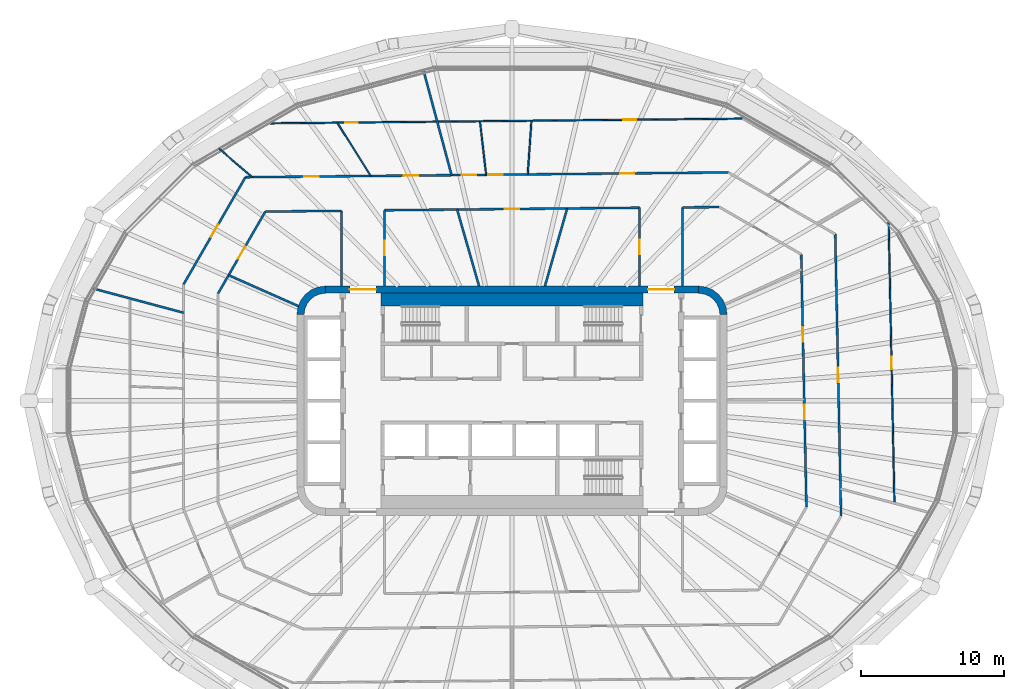
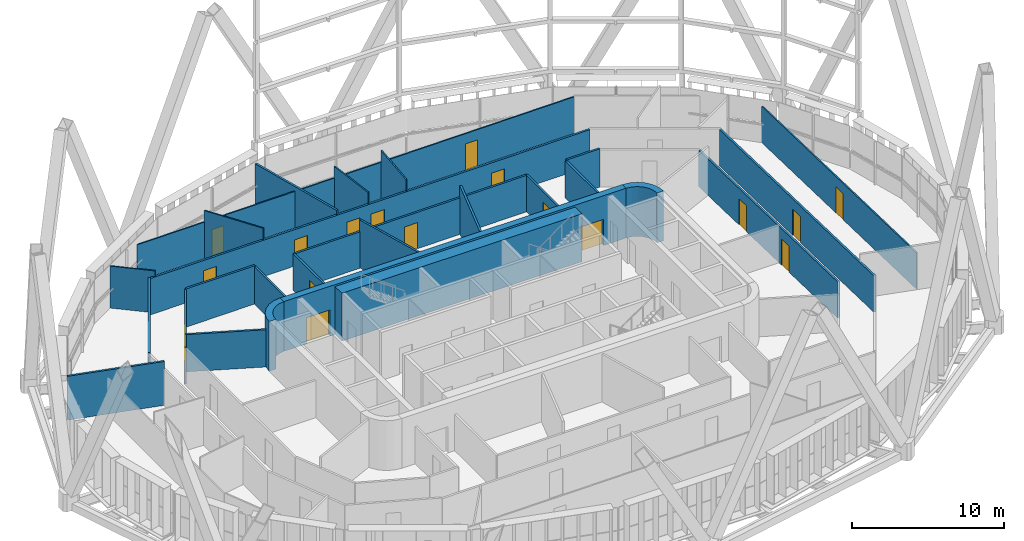
# One storey, part 15 of 25: 27 walls, 18 doors, 18 openings.
"""IFC4 building model written with IfcOpenShell, lengths in metres."""

from ifc_helpers import new_model, si_unit, direction, frame, frame_2d, origin, place, context, subcontext, project, spatial, polyline, rectangle, outline, extrude, material, layer, layer_set, type_object, element, fill, save


model = new_model("IFC4")

# Units and contexts
model_context = context("Model", 3, precision=1e-05, world=origin(), true_north=direction((0.0, 1.0)))
body_context = subcontext(model_context, "Body", "Model", "MODEL_VIEW")
ifc_project = project(units=[si_unit("LENGTHUNIT", "METRE"), si_unit("AREAUNIT", "SQUARE_METRE"), si_unit("VOLUMEUNIT", "CUBIC_METRE"), si_unit("PLANEANGLEUNIT", "RADIAN"), si_unit("MASSUNIT", "GRAM", prefix="KILO")], contexts=[model_context])

# Site, building, storey
site_placement = place(None, origin())
site = spatial("IfcSite", under=ifc_project, at=site_placement, CompositionType="ELEMENT")
building_placement = place(site_placement, origin())
building = spatial("IfcBuilding", under=site, at=building_placement, Name="Sahrelin Media Tower", CompositionType="ELEMENT")
storey_placement = place(building_placement, frame((0.0, 0.0, 181.60009765625)))
storey = spatial("IfcBuildingStorey", under=building, at=storey_placement, Name="L38", CompositionType="ELEMENT", Elevation=181.60009765625)

# Wall, openings, doors
ifc_material_1 = material(Name="Concrete C60/75", Category="concrete")
ifc_layer_1 = layer(ifc_material_1, 0.5)
ifc_layer_set_1 = layer_set([ifc_layer_1], Name="Core wall 500")
wall_type_1 = type_object("IfcWallType", Name="Core wall 500", PredefinedType="SHEAR", material=ifc_layer_set_1)
wall_1_placement = place(storey_placement, frame((-13.0, 7.75, 0.0), z_axis=(0.0, 0.0, 1.0), x_axis=(1.0, 0.0, 0.0)))
wall_1 = element("IfcWall", 1, at=wall_1_placement, inside=storey, type_object=wall_type_1, Name="Core wall N L38", PredefinedType="SHEAR", context=body_context, shape_type="SweptSolid", body=[
    extrude(rectangle(XDim=26.0, YDim=0.5, at=frame_2d((13.0, 0.0))), origin(), (0.0, 0.0, 1.0), 4.0),
])
opening_1_placement = place(wall_1_placement, frame((1.699951171875, 0.0, 0.0)))
opening_1 = element("IfcOpeningElement", 2, at=opening_1_placement, cuts=wall_1, Name="Opening L38-D16", PredefinedType="OPENING", context=body_context, shape_type="SweptSolid", body=[
    extrude(rectangle(XDim=1.800048828125, YDim=2.10009765625, at=frame_2d((0.89990234375, 1.050048828125))), frame((0.0, 0.25, 0.0), z_axis=(0.0, -1.0, 0.0), x_axis=(1.0, 0.0, 0.0)), (0.0, 0.0, 1.0), 0.5),
])
opening_2_placement = place(wall_1_placement, frame((22.5, 0.0, 0.0)))
opening_2 = element("IfcOpeningElement", 3, at=opening_2_placement, cuts=wall_1, Name="Opening L38-D17", PredefinedType="OPENING", context=body_context, shape_type="SweptSolid", body=[
    extrude(rectangle(XDim=1.800048828125, YDim=2.10009765625, at=frame_2d((0.89990234375, 1.050048828125))), frame((0.0, 0.25, 0.0), z_axis=(0.0, -1.0, 0.0), x_axis=(1.0, 0.0, 0.0)), (0.0, 0.0, 1.0), 0.5),
])
ifc_material_2 = material(Name="Steel fire door leaf", Category="steel")
door_type_1 = type_object("IfcDoorType", Name="Lobby double door 1800 x 2100 EI 60", OperationType="DOUBLE_DOOR_SINGLE_SWING", PredefinedType="DOOR", material=ifc_material_2)
door_1_placement = place(opening_1_placement, origin())
door_1 = element("IfcDoor", 4, at=door_1_placement, inside=storey, type_object=door_type_1, Name="Lobby door", OperationType="DOUBLE_DOOR_SINGLE_SWING", OverallHeight=2.10009765625, OverallWidth=1.800048828125, PredefinedType="DOOR", context=body_context, shape_type="SweptSolid", body=[
    extrude(rectangle(XDim=1.800048828125, YDim=2.10009765625, at=frame_2d((0.89990234375, 1.050048828125))), frame((0.0, 0.02490234375, 0.0), z_axis=(0.0, -1.0, 0.0), x_axis=(1.0, 0.0, 0.0)), (0.0, 0.0, 1.0), 0.050048828125),
])
fill(opening_1, door_1)
door_2_placement = place(opening_2_placement, origin())
door_2 = element("IfcDoor", 5, at=door_2_placement, inside=storey, type_object=door_type_1, Name="Lobby door", OperationType="DOUBLE_DOOR_SINGLE_SWING", OverallHeight=2.10009765625, OverallWidth=1.800048828125, PredefinedType="DOOR", context=body_context, shape_type="SweptSolid", body=[
    extrude(rectangle(XDim=1.800048828125, YDim=2.10009765625, at=frame_2d((0.89990234375, 1.050048828125))), frame((0.0, 0.02490234375, 0.0), z_axis=(0.0, -1.0, 0.0), x_axis=(1.0, 0.0, 0.0)), (0.0, 0.0, 1.0), 0.050048828125),
])
fill(opening_2, door_2)

# Walls
placement = place(storey_placement, origin())
element("IfcWall", 6, at=placement, inside=storey, type_object=wall_type_1, Name="Core wall corner NE L38", PredefinedType="SHEAR", context=body_context, shape_type="SweptSolid", body=[
    extrude(outline(polyline([(13.0, 8.0), (13.0, 7.49560546875), (13.38720703125, 7.44482421875), (13.747802734375, 7.29541015625), (14.0576171875, 7.0576171875), (14.29541015625, 6.747802734375), (14.44482421875, 6.38720703125), (14.49560546875, 6.0), (15.0, 6.0), (14.931884765625, 6.517578125), (14.732177734375, 7.0), (14.414306640625, 7.414306640625), (14.0, 7.732177734375), (13.517578125, 7.931884765625), (13.0, 8.0)])), origin(), (0.0, 0.0, 1.0), 4.0),
])
element("IfcWall", 7, at=placement, inside=storey, type_object=wall_type_1, Name="Core wall corner NW L38", PredefinedType="SHEAR", context=body_context, shape_type="SweptSolid", body=[
    extrude(outline(polyline([(-15.0, 6.0), (-14.49560546875, 6.0), (-14.44482421875, 6.38720703125), (-14.29541015625, 6.747802734375), (-14.0576171875, 7.0576171875), (-13.747802734375, 7.29541015625), (-13.38720703125, 7.44482421875), (-13.0, 7.49560546875), (-13.0, 8.0), (-13.517578125, 7.931884765625), (-14.0, 7.732177734375), (-14.414306640625, 7.414306640625), (-14.732177734375, 7.0), (-14.931884765625, 6.517578125), (-15.0, 6.0)])), origin(), (0.0, 0.0, 1.0), 4.0),
])

# Wall, openings, doors
ifc_material_3 = material(Name="Fire-rated gypsum board partition")
ifc_layer_2 = layer(ifc_material_3, 0.14990234375)
ifc_layer_set_2 = layer_set([ifc_layer_2], Name="Fire-rated partition 150")
wall_type_2 = type_object("IfcWallType", Name="Fire-rated partition 150", PredefinedType="PARTITIONING", material=ifc_layer_set_2)
wall_4_placement = place(storey_placement, frame((20.1669921875, 10.212890625, 0.0), z_axis=(0.0, 0.0, 1.0), x_axis=(0.020610894613, -0.999787572949, 0.0)))
wall_4 = element("IfcWall", 8, at=wall_4_placement, inside=storey, type_object=wall_type_2, Name="Wall", PredefinedType="PARTITIONING", context=body_context, shape_type="SweptSolid", body=[
    extrude(rectangle(XDim=17.637451171875, YDim=0.14990234375, at=frame_2d((8.81884765625, 0.0))), origin(), (0.0, 0.0, 1.0), 2.927001953125),
])
opening_3_placement = place(wall_4_placement, frame((10.5078125, 0.0, 0.0)))
opening_3 = element("IfcOpeningElement", 9, at=opening_3_placement, cuts=wall_4, Name="Opening L38-D24", PredefinedType="OPENING", context=body_context, shape_type="SweptSolid", body=[
    extrude(rectangle(XDim=1.0, YDim=2.10009765625, at=frame_2d((0.5, 1.050048828125))), frame((0.0, 0.074951171875, 0.0), z_axis=(0.0, -1.0, 0.0), x_axis=(1.0, 0.0, 0.0)), (0.0, 0.0, 1.0), 0.14990234375),
])
opening_4_placement = place(wall_4_placement, frame((5.089599609375, 0.0, 0.0)))
opening_4 = element("IfcOpeningElement", 10, at=opening_4_placement, cuts=wall_4, Name="Opening L38-D25", PredefinedType="OPENING", context=body_context, shape_type="SweptSolid", body=[
    extrude(rectangle(XDim=1.0, YDim=2.10009765625, at=frame_2d((0.5, 1.050048828125))), frame((0.0, 0.074951171875, 0.0), z_axis=(0.0, -1.0, 0.0), x_axis=(1.0, 0.0, 0.0)), (0.0, 0.0, 1.0), 0.14990234375),
])
door_type_2 = type_object("IfcDoorType", Name="Fire door 1000 x 2100 EI 60", OperationType="NOTDEFINED", PredefinedType="DOOR", material=ifc_material_2)
door_3_placement = place(opening_3_placement, origin())
door_3 = element("IfcDoor", 11, at=door_3_placement, inside=storey, type_object=door_type_2, Name="Fire door", OperationType="SINGLE_SWING_LEFT", OverallHeight=2.10009765625, OverallWidth=1.0, PredefinedType="DOOR", context=body_context, shape_type="SweptSolid", body=[
    extrude(rectangle(XDim=1.0, YDim=2.10009765625, at=frame_2d((0.5, 1.050048828125))), frame((0.0, 0.02490234375, 0.0), z_axis=(0.0, -1.0, 0.0), x_axis=(1.0, 0.0, 0.0)), (0.0, 0.0, 1.0), 0.050048828125),
])
fill(opening_3, door_3)
door_4_placement = place(opening_4_placement, origin())
door_4 = element("IfcDoor", 12, at=door_4_placement, inside=storey, type_object=door_type_2, Name="Fire door", OperationType="SINGLE_SWING_RIGHT", OverallHeight=2.10009765625, OverallWidth=1.0, PredefinedType="DOOR", context=body_context, shape_type="SweptSolid", body=[
    extrude(rectangle(XDim=1.0, YDim=2.10009765625, at=frame_2d((0.5, 1.050048828125))), frame((0.0, 0.02490234375, 0.0), z_axis=(0.0, -1.0, 0.0), x_axis=(1.0, 0.0, 0.0)), (0.0, 0.0, 1.0), 0.050048828125),
])
fill(opening_4, door_4)

# Wall, opening, door
wall_5_placement = place(storey_placement, frame((22.5390625, 11.614990234375, 0.0), z_axis=(0.0, 0.0, 1.0), x_axis=(0.020613919434, -0.999787510587, 0.0)))
wall_5 = element("IfcWall", 13, at=wall_5_placement, inside=storey, type_object=wall_type_2, Name="Wall", PredefinedType="PARTITIONING", context=body_context, shape_type="SweptSolid", body=[
    extrude(rectangle(XDim=19.66015625, YDim=0.14990234375, at=frame_2d((9.830078125, 0.0))), origin(), (0.0, 0.0, 1.0), 2.927001953125),
])
opening_5_placement = place(wall_5_placement, frame((9.330078125, 0.0, 0.0)))
opening_5 = element("IfcOpeningElement", 14, at=opening_5_placement, cuts=wall_5, Name="Opening L38-D37", PredefinedType="OPENING", context=body_context, shape_type="SweptSolid", body=[
    extrude(rectangle(XDim=1.0, YDim=2.10009765625, at=frame_2d((0.5, 1.050048828125))), frame((0.0, 0.074951171875, 0.0), z_axis=(0.0, -1.0, 0.0), x_axis=(1.0, 0.0, 0.0)), (0.0, 0.0, 1.0), 0.14990234375),
])
door_5_placement = place(opening_5_placement, origin())
door_5 = element("IfcDoor", 15, at=door_5_placement, inside=storey, type_object=door_type_2, Name="Fire door", OperationType="SINGLE_SWING_LEFT", OverallHeight=2.10009765625, OverallWidth=1.0, PredefinedType="DOOR", context=body_context, shape_type="SweptSolid", body=[
    extrude(rectangle(XDim=1.0, YDim=2.10009765625, at=frame_2d((0.5, 1.050048828125))), frame((0.0, 0.02490234375, 0.0), z_axis=(0.0, -1.0, 0.0), x_axis=(1.0, 0.0, 0.0)), (0.0, 0.0, 1.0), 0.050048828125),
])
fill(opening_5, door_5)

# Walls
wall_6_placement = place(storey_placement, frame((-6.177978515625, 23.05810546875, 0.0), z_axis=(0.0, 0.0, 1.0), x_axis=(0.258856186269, -0.965915873578, 0.0)))
element("IfcWall", 16, at=wall_6_placement, inside=storey, type_object=wall_type_2, Name="Wall", PredefinedType="PARTITIONING", context=body_context, shape_type="SweptSolid", body=[
    extrude(rectangle(XDim=7.586669921875, YDim=0.14990234375, at=frame_2d((3.79345703125, 0.0))), origin(), (0.0, 0.0, 1.0), 3.301513671875),
])
wall_7_placement = place(storey_placement, frame((-3.826904296875, 13.3330078125, 0.0), z_axis=(0.0, 0.0, 1.0), x_axis=(0.275935525478, -0.961176147113, 0.0)))
element("IfcWall", 17, at=wall_7_placement, inside=storey, type_object=wall_type_2, Name="Wall", PredefinedType="PARTITIONING", context=body_context, shape_type="SweptSolid", body=[
    extrude(rectangle(XDim=5.54833984375, YDim=0.14990234375, at=frame_2d((2.774169921875, 0.0))), origin(), (0.0, 0.0, 1.0), 3.849853515625),
])
wall_8_placement = place(storey_placement, frame((-19.760009765625, 8.7548828125, 0.0), z_axis=(0.0, 0.0, 1.0), x_axis=(0.91424834547, -0.405154245695, 0.0)))
element("IfcWall", 18, at=wall_8_placement, inside=storey, type_object=wall_type_2, Name="Wall", PredefinedType="PARTITIONING", context=body_context, shape_type="SweptSolid", body=[
    extrude(rectangle(XDim=5.31787109375, YDim=0.14990234375, at=frame_2d((2.658935546875, 0.0))), origin(), (0.0, 0.0, 1.0), 2.994873046875),
])
wall_9_placement = place(storey_placement, frame((-29.27197265625, 7.843017578125, 0.0), z_axis=(0.0, 0.0, 1.0), x_axis=(0.965939462112, -0.258768150157, 0.0)))
element("IfcWall", 19, at=wall_9_placement, inside=storey, type_object=wall_type_2, Name="Wall", PredefinedType="PARTITIONING", context=body_context, shape_type="SweptSolid", body=[
    extrude(rectangle(XDim=6.5966796875, YDim=0.14990234375, at=frame_2d((3.29833984375, 0.0))), origin(), (0.0, 0.0, 1.0), 3.526611328125),
])
wall_10_placement = place(storey_placement, frame((-17.194091796875, 13.19091796875, 0.0), z_axis=(0.0, 0.0, 1.0), x_axis=(0.999950394899, 0.009960308291, 0.0)))
element("IfcWall", 20, at=wall_10_placement, inside=storey, type_object=wall_type_2, Name="Wall", PredefinedType="PARTITIONING", context=body_context, shape_type="SweptSolid", body=[
    extrude(rectangle(XDim=5.29443359375, YDim=0.14990234375, at=frame_2d((2.647216796875, 0.0))), origin(), (0.0, 0.0, 1.0), 3.075927734375),
])

# Wall, opening, door
wall_11_placement = place(storey_placement, frame((-8.89990234375, 13.282470703125, 0.0), z_axis=(0.0, 0.0, 1.0), x_axis=(0.99995056171, 0.009943547447, 0.0)))
wall_11 = element("IfcWall", 21, at=wall_11_placement, inside=storey, type_object=wall_type_2, Name="Wall", PredefinedType="PARTITIONING", context=body_context, shape_type="SweptSolid", body=[
    extrude(rectangle(XDim=17.80078125, YDim=0.14990234375, at=frame_2d((8.900390625, 0.0))), origin(), (0.0, 0.0, 1.0), 2.927001953125),
])
opening_6_placement = place(wall_11_placement, frame((8.41162109375, 0.0, 0.0)))
opening_6 = element("IfcOpeningElement", 22, at=opening_6_placement, cuts=wall_11, Name="Opening L38-D28", PredefinedType="OPENING", context=body_context, shape_type="SweptSolid", body=[
    extrude(rectangle(XDim=1.0, YDim=2.10009765625, at=frame_2d((0.5, 1.050048828125))), frame((0.0, 0.074951171875, 0.0), z_axis=(0.0, -1.0, 0.0), x_axis=(1.0, 0.0, 0.0)), (0.0, 0.0, 1.0), 0.14990234375),
])
door_6_placement = place(opening_6_placement, origin())
door_6 = element("IfcDoor", 23, at=door_6_placement, inside=storey, type_object=door_type_2, Name="Fire door", OperationType="SINGLE_SWING_LEFT", OverallHeight=2.10009765625, OverallWidth=1.0, PredefinedType="DOOR", context=body_context, shape_type="SweptSolid", body=[
    extrude(rectangle(XDim=1.0, YDim=2.10009765625, at=frame_2d((0.5, 1.050048828125))), frame((0.0, 0.02490234375, 0.0), z_axis=(0.0, -1.0, 0.0), x_axis=(1.0, 0.0, 0.0)), (0.0, 0.0, 1.0), 0.050048828125),
])
fill(opening_6, door_6)

# Wall
wall_12_placement = place(storey_placement, frame((11.89990234375, 13.47998046875, 0.0), z_axis=(0.0, 0.0, 1.0), x_axis=(0.999950357576, 0.009964054536, 0.0)))
element("IfcWall", 24, at=wall_12_placement, inside=storey, type_object=wall_type_2, Name="Wall", PredefinedType="PARTITIONING", context=body_context, shape_type="SweptSolid", body=[
    extrude(rectangle(XDim=2.54833984375, YDim=0.14990234375, at=frame_2d((1.274169921875, 0.0))), origin(), (0.0, 0.0, 1.0), 3.075927734375),
])

# Wall, openings, doors
wall_13_placement = place(storey_placement, frame((-18.5869140625, 15.5869140625, 0.0), z_axis=(0.0, 0.0, 1.0), x_axis=(0.99995051, 0.009948746191, 0.0)))
wall_13 = element("IfcWall", 25, at=wall_13_placement, inside=storey, type_object=wall_type_2, Name="Wall", PredefinedType="PARTITIONING", context=body_context, shape_type="SweptSolid", body=[
    extrude(rectangle(XDim=33.668701171875, YDim=0.14990234375, at=frame_2d((16.83447265625, 0.0))), origin(), (0.0, 0.0, 1.0), 2.927001953125),
])
opening_7_placement = place(wall_13_placement, frame((26.124755859375, 0.0, 0.0)))
opening_7 = element("IfcOpeningElement", 26, at=opening_7_placement, cuts=wall_13, Name="Opening L38-D40", PredefinedType="OPENING", context=body_context, shape_type="SweptSolid", body=[
    extrude(rectangle(XDim=1.0, YDim=2.10009765625, at=frame_2d((0.5, 1.050048828125))), frame((0.0, 0.074951171875, 0.0), z_axis=(0.0, -1.0, 0.0), x_axis=(1.0, 0.0, 0.0)), (0.0, 0.0, 1.0), 0.14990234375),
])
opening_8_placement = place(wall_13_placement, frame((16.935791015625, 0.0, 0.0)))
opening_8 = element("IfcOpeningElement", 27, at=opening_8_placement, cuts=wall_13, Name="Opening L38-D41", PredefinedType="OPENING", context=body_context, shape_type="SweptSolid", body=[
    extrude(rectangle(XDim=1.0, YDim=2.10009765625, at=frame_2d((0.5, 1.050048828125))), frame((0.0, 0.074951171875, 0.0), z_axis=(0.0, -1.0, 0.0), x_axis=(1.0, 0.0, 0.0)), (0.0, 0.0, 1.0), 0.14990234375),
])
opening_9_placement = place(wall_13_placement, frame((15.07861328125, 0.0, 0.0)))
opening_9 = element("IfcOpeningElement", 28, at=opening_9_placement, cuts=wall_13, Name="Opening L38-D42", PredefinedType="OPENING", context=body_context, shape_type="SweptSolid", body=[
    extrude(rectangle(XDim=1.0, YDim=2.10009765625, at=frame_2d((0.5, 1.050048828125))), frame((0.0, 0.074951171875, 0.0), z_axis=(0.0, -1.0, 0.0), x_axis=(1.0, 0.0, 0.0)), (0.0, 0.0, 1.0), 0.14990234375),
])
opening_10_placement = place(wall_13_placement, frame((11.056396484375, 0.0, 0.0)))
opening_10 = element("IfcOpeningElement", 29, at=opening_10_placement, cuts=wall_13, Name="Opening L38-D44", PredefinedType="OPENING", context=body_context, shape_type="SweptSolid", body=[
    extrude(rectangle(XDim=1.0, YDim=2.10009765625, at=frame_2d((0.5, 1.050048828125))), frame((0.0, 0.074951171875, 0.0), z_axis=(0.0, -1.0, 0.0), x_axis=(1.0, 0.0, 0.0)), (0.0, 0.0, 1.0), 0.14990234375),
])
opening_11_placement = place(wall_13_placement, frame((4.104248046875, 0.0, 0.0)))
opening_11 = element("IfcOpeningElement", 30, at=opening_11_placement, cuts=wall_13, Name="Opening L38-D45", PredefinedType="OPENING", context=body_context, shape_type="SweptSolid", body=[
    extrude(rectangle(XDim=1.0, YDim=2.10009765625, at=frame_2d((0.5, 1.050048828125))), frame((0.0, 0.074951171875, 0.0), z_axis=(0.0, -1.0, 0.0), x_axis=(1.0, 0.0, 0.0)), (0.0, 0.0, 1.0), 0.14990234375),
])
door_7_placement = place(opening_7_placement, origin())
door_7 = element("IfcDoor", 31, at=door_7_placement, inside=storey, type_object=door_type_2, Name="Fire door", OperationType="SINGLE_SWING_LEFT", OverallHeight=2.10009765625, OverallWidth=1.0, PredefinedType="DOOR", context=body_context, shape_type="SweptSolid", body=[
    extrude(rectangle(XDim=1.0, YDim=2.10009765625, at=frame_2d((0.5, 1.050048828125))), frame((0.0, 0.02490234375, 0.0), z_axis=(0.0, -1.0, 0.0), x_axis=(1.0, 0.0, 0.0)), (0.0, 0.0, 1.0), 0.050048828125),
])
fill(opening_7, door_7)
door_8_placement = place(opening_8_placement, origin())
door_8 = element("IfcDoor", 32, at=door_8_placement, inside=storey, type_object=door_type_2, Name="Fire door", OperationType="SINGLE_SWING_LEFT", OverallHeight=2.10009765625, OverallWidth=1.0, PredefinedType="DOOR", context=body_context, shape_type="SweptSolid", body=[
    extrude(rectangle(XDim=1.0, YDim=2.10009765625, at=frame_2d((0.5, 1.050048828125))), frame((0.0, 0.02490234375, 0.0), z_axis=(0.0, -1.0, 0.0), x_axis=(1.0, 0.0, 0.0)), (0.0, 0.0, 1.0), 0.050048828125),
])
fill(opening_8, door_8)
door_9_placement = place(opening_9_placement, origin())
door_9 = element("IfcDoor", 33, at=door_9_placement, inside=storey, type_object=door_type_2, Name="Fire door", OperationType="SINGLE_SWING_RIGHT", OverallHeight=2.10009765625, OverallWidth=1.0, PredefinedType="DOOR", context=body_context, shape_type="SweptSolid", body=[
    extrude(rectangle(XDim=1.0, YDim=2.10009765625, at=frame_2d((0.5, 1.050048828125))), frame((0.0, 0.02490234375, 0.0), z_axis=(0.0, -1.0, 0.0), x_axis=(1.0, 0.0, 0.0)), (0.0, 0.0, 1.0), 0.050048828125),
])
fill(opening_9, door_9)
door_10_placement = place(opening_10_placement, origin())
door_10 = element("IfcDoor", 34, at=door_10_placement, inside=storey, type_object=door_type_2, Name="Fire door", OperationType="SINGLE_SWING_RIGHT", OverallHeight=2.10009765625, OverallWidth=1.0, PredefinedType="DOOR", context=body_context, shape_type="SweptSolid", body=[
    extrude(rectangle(XDim=1.0, YDim=2.10009765625, at=frame_2d((0.5, 1.050048828125))), frame((0.0, 0.02490234375, 0.0), z_axis=(0.0, -1.0, 0.0), x_axis=(1.0, 0.0, 0.0)), (0.0, 0.0, 1.0), 0.050048828125),
])
fill(opening_10, door_10)
door_11_placement = place(opening_11_placement, origin())
door_11 = element("IfcDoor", 35, at=door_11_placement, inside=storey, type_object=door_type_2, Name="Fire door", OperationType="SINGLE_SWING_RIGHT", OverallHeight=2.10009765625, OverallWidth=1.0, PredefinedType="DOOR", context=body_context, shape_type="SweptSolid", body=[
    extrude(rectangle(XDim=1.0, YDim=2.10009765625, at=frame_2d((0.5, 1.050048828125))), frame((0.0, 0.02490234375, 0.0), z_axis=(0.0, -1.0, 0.0), x_axis=(1.0, 0.0, 0.0)), (0.0, 0.0, 1.0), 0.050048828125),
])
fill(opening_11, door_11)

# Wall, opening, door
wall_14_placement = place(storey_placement, frame((-20.5, 7.47412109375, 0.0), z_axis=(0.0, 0.0, 1.0), x_axis=(0.500012665616, 0.866018091164, 0.0)))
wall_14 = element("IfcWall", 36, at=wall_14_placement, inside=storey, type_object=wall_type_2, Name="Wall", PredefinedType="PARTITIONING", context=body_context, shape_type="SweptSolid", body=[
    extrude(rectangle(XDim=6.602294921875, YDim=0.14990234375, at=frame_2d((3.30126953125, 0.0))), origin(), (0.0, 0.0, 1.0), 2.994873046875),
])
opening_12_placement = place(wall_14_placement, frame((2.802734375, 0.0, 0.0)))
opening_12 = element("IfcOpeningElement", 37, at=opening_12_placement, cuts=wall_14, Name="Opening L38-D30", PredefinedType="OPENING", context=body_context, shape_type="SweptSolid", body=[
    extrude(rectangle(XDim=1.0, YDim=2.10009765625, at=frame_2d((0.5, 1.050048828125))), frame((0.0, 0.074951171875, 0.0), z_axis=(0.0, -1.0, 0.0), x_axis=(1.0, 0.0, 0.0)), (0.0, 0.0, 1.0), 0.14990234375),
])
door_12_placement = place(opening_12_placement, origin())
door_12 = element("IfcDoor", 38, at=door_12_placement, inside=storey, type_object=door_type_2, Name="Fire door", OperationType="SINGLE_SWING_LEFT", OverallHeight=2.10009765625, OverallWidth=1.0, PredefinedType="DOOR", context=body_context, shape_type="SweptSolid", body=[
    extrude(rectangle(XDim=1.0, YDim=2.10009765625, at=frame_2d((0.5, 1.050048828125))), frame((0.0, 0.02490234375, 0.0), z_axis=(0.0, -1.0, 0.0), x_axis=(1.0, 0.0, 0.0)), (0.0, 0.0, 1.0), 0.050048828125),
])
fill(opening_12, door_12)

wall_15_placement = place(storey_placement, frame((-22.89990234375, 8.116943359375, 0.0), z_axis=(0.0, 0.0, 1.0), x_axis=(0.499983791763, 0.866034761412, 0.0)))
wall_15 = element("IfcWall", 39, at=wall_15_placement, inside=storey, type_object=wall_type_2, Name="Wall", PredefinedType="PARTITIONING", context=body_context, shape_type="SweptSolid", body=[
    extrude(rectangle(XDim=8.625732421875, YDim=0.14990234375, at=frame_2d((4.31298828125, 0.0))), origin(), (0.0, 0.0, 1.0), 2.994873046875),
])
opening_13_placement = place(wall_15_placement, frame((3.812255859375, 0.0, 0.0)))
opening_13 = element("IfcOpeningElement", 40, at=opening_13_placement, cuts=wall_15, Name="Opening L38-D46", PredefinedType="OPENING", context=body_context, shape_type="SweptSolid", body=[
    extrude(rectangle(XDim=1.0, YDim=2.10009765625, at=frame_2d((0.5, 1.050048828125))), frame((0.0, 0.074951171875, 0.0), z_axis=(0.0, -1.0, 0.0), x_axis=(1.0, 0.0, 0.0)), (0.0, 0.0, 1.0), 0.14990234375),
])
door_13_placement = place(opening_13_placement, origin())
door_13 = element("IfcDoor", 41, at=door_13_placement, inside=storey, type_object=door_type_2, Name="Fire door", OperationType="SINGLE_SWING_RIGHT", OverallHeight=2.10009765625, OverallWidth=1.0, PredefinedType="DOOR", context=body_context, shape_type="SweptSolid", body=[
    extrude(rectangle(XDim=1.0, YDim=2.10009765625, at=frame_2d((0.5, 1.050048828125))), frame((0.0, 0.02490234375, 0.0), z_axis=(0.0, -1.0, 0.0), x_axis=(1.0, 0.0, 0.0)), (0.0, 0.0, 1.0), 0.050048828125),
])
fill(opening_13, door_13)

# Walls
wall_16_placement = place(storey_placement, frame((2.2958984375, 8.0, 0.0), z_axis=(0.0, 0.0, 1.0), x_axis=(0.275958345059, 0.961169595749, 0.0)))
element("IfcWall", 42, at=wall_16_placement, inside=storey, type_object=wall_type_2, Name="Wall", PredefinedType="PARTITIONING", context=body_context, shape_type="SweptSolid", body=[
    extrude(rectangle(XDim=5.62841796875, YDim=0.14990234375, at=frame_2d((2.814208984375, 0.0))), origin(), (0.0, 0.0, 1.0), 3.849853515625),
])
wall_17_placement = place(storey_placement, frame((11.89990234375, 8.0, 0.0), z_axis=(0.0, 0.0, 1.0), x_axis=(0.0, 1.0, 0.0)))
element("IfcWall", 43, at=wall_17_placement, inside=storey, type_object=wall_type_2, Name="Wall", PredefinedType="PARTITIONING", context=body_context, shape_type="SweptSolid", body=[
    extrude(rectangle(XDim=5.47900390625, YDim=0.14990234375, at=frame_2d((2.739501953125, 0.0))), origin(), (0.0, 0.0, 1.0), 2.994873046875),
])

# Wall, opening, door
wall_18_placement = place(storey_placement, frame((8.89990234375, 8.0, 0.0), z_axis=(0.0, 0.0, 1.0), x_axis=(0.0, 1.0, 0.0)))
wall_18 = element("IfcWall", 44, at=wall_18_placement, inside=storey, type_object=wall_type_2, Name="Wall", PredefinedType="PARTITIONING", context=body_context, shape_type="SweptSolid", body=[
    extrude(rectangle(XDim=5.4599609375, YDim=0.14990234375, at=frame_2d((2.72998046875, 0.0))), origin(), (0.0, 0.0, 1.0), 2.927001953125),
])
opening_14_placement = place(wall_18_placement, frame((2.22998046875, 0.0, 0.0)))
opening_14 = element("IfcOpeningElement", 45, at=opening_14_placement, cuts=wall_18, Name="Opening L38-D27", PredefinedType="OPENING", context=body_context, shape_type="SweptSolid", body=[
    extrude(rectangle(XDim=1.0, YDim=2.10009765625, at=frame_2d((0.5, 1.050048828125))), frame((0.0, 0.074951171875, 0.0), z_axis=(0.0, -1.0, 0.0), x_axis=(1.0, 0.0, 0.0)), (0.0, 0.0, 1.0), 0.14990234375),
])
door_14_placement = place(opening_14_placement, origin())
door_14 = element("IfcDoor", 46, at=door_14_placement, inside=storey, type_object=door_type_2, Name="Fire door", OperationType="SINGLE_SWING_LEFT", OverallHeight=2.10009765625, OverallWidth=1.0, PredefinedType="DOOR", context=body_context, shape_type="SweptSolid", body=[
    extrude(rectangle(XDim=1.0, YDim=2.10009765625, at=frame_2d((0.5, 1.050048828125))), frame((0.0, 0.02490234375, 0.0), z_axis=(0.0, -1.0, 0.0), x_axis=(1.0, 0.0, 0.0)), (0.0, 0.0, 1.0), 0.050048828125),
])
fill(opening_14, door_14)

wall_19_placement = place(storey_placement, frame((-8.89990234375, 8.0, 0.0), z_axis=(0.0, 0.0, 1.0), x_axis=(0.0, 1.0, 0.0)))
wall_19 = element("IfcWall", 47, at=wall_19_placement, inside=storey, type_object=wall_type_2, Name="Wall", PredefinedType="PARTITIONING", context=body_context, shape_type="SweptSolid", body=[
    extrude(rectangle(XDim=5.282958984375, YDim=0.14990234375, at=frame_2d((2.6416015625, 0.0))), origin(), (0.0, 0.0, 1.0), 2.927001953125),
])
opening_15_placement = place(wall_19_placement, frame((2.1416015625, 0.0, 0.0)))
opening_15 = element("IfcOpeningElement", 48, at=opening_15_placement, cuts=wall_19, Name="Opening L38-D29", PredefinedType="OPENING", context=body_context, shape_type="SweptSolid", body=[
    extrude(rectangle(XDim=1.0, YDim=2.10009765625, at=frame_2d((0.5, 1.050048828125))), frame((0.0, 0.074951171875, 0.0), z_axis=(0.0, -1.0, 0.0), x_axis=(1.0, 0.0, 0.0)), (0.0, 0.0, 1.0), 0.14990234375),
])
door_15_placement = place(opening_15_placement, origin())
door_15 = element("IfcDoor", 49, at=door_15_placement, inside=storey, type_object=door_type_2, Name="Fire door", OperationType="SINGLE_SWING_RIGHT", OverallHeight=2.10009765625, OverallWidth=1.0, PredefinedType="DOOR", context=body_context, shape_type="SweptSolid", body=[
    extrude(rectangle(XDim=1.0, YDim=2.10009765625, at=frame_2d((0.5, 1.050048828125))), frame((0.0, 0.02490234375, 0.0), z_axis=(0.0, -1.0, 0.0), x_axis=(1.0, 0.0, 0.0)), (0.0, 0.0, 1.0), 0.050048828125),
])
fill(opening_15, door_15)

# Wall
wall_20_placement = place(storey_placement, frame((-11.89990234375, 8.0, 0.0), z_axis=(0.0, 0.0, 1.0), x_axis=(0.0, 1.0, 0.0)))
element("IfcWall", 50, at=wall_20_placement, inside=storey, type_object=wall_type_2, Name="Wall", PredefinedType="PARTITIONING", context=body_context, shape_type="SweptSolid", body=[
    extrude(rectangle(XDim=5.242919921875, YDim=0.14990234375, at=frame_2d((2.62158203125, 0.0))), origin(), (0.0, 0.0, 1.0), 2.994873046875),
])

# Wall, opening, door
ifc_material_4 = material(Name="Gypsum board partition")
ifc_layer_3 = layer(ifc_material_4, 0.10009765625)
ifc_layer_set_3 = layer_set([ifc_layer_3], Name="Partition 100")
wall_type_3 = type_object("IfcWallType", Name="Partition 100", PredefinedType="PARTITIONING", material=ifc_layer_set_3)
wall_21_placement = place(storey_placement, frame((26.260986328125, 12.51611328125, 0.0), z_axis=(0.0, 0.0, 1.0), x_axis=(0.020644749829, -0.999786874441, 0.0)))
wall_21 = element("IfcWall", 51, at=wall_21_placement, inside=storey, type_object=wall_type_3, Name="Wall", PredefinedType="PARTITIONING", context=body_context, shape_type="SweptSolid", body=[
    extrude(rectangle(XDim=19.666259765625, YDim=0.10009765625, at=frame_2d((9.8330078125, 0.0))), origin(), (0.0, 0.0, 1.0), 2.927001953125),
])
opening_16_placement = place(wall_21_placement, frame((9.433349609375, 0.0, 0.0)))
opening_16 = element("IfcOpeningElement", 52, at=opening_16_placement, cuts=wall_21, Name="Opening L38-D38", PredefinedType="OPENING", context=body_context, shape_type="SweptSolid", body=[
    extrude(rectangle(XDim=0.89990234375, YDim=2.10009765625, at=frame_2d((0.449951171875, 1.050048828125))), frame((0.0, 0.050048828125, 0.0), z_axis=(0.0, -1.0, 0.0), x_axis=(1.0, 0.0, 0.0)), (0.0, 0.0, 1.0), 0.10009765625),
])
ifc_material_5 = material(Name="Timber door leaf", Category="wood")
door_type_3 = type_object("IfcDoorType", Name="Single door 900 x 2100", OperationType="NOTDEFINED", PredefinedType="DOOR", material=ifc_material_5)
door_16_placement = place(opening_16_placement, origin())
door_16 = element("IfcDoor", 53, at=door_16_placement, inside=storey, type_object=door_type_3, Name="Single door", OperationType="SINGLE_SWING_LEFT", OverallHeight=2.10009765625, OverallWidth=0.89990234375, PredefinedType="DOOR", context=body_context, shape_type="SweptSolid", body=[
    extrude(rectangle(XDim=0.89990234375, YDim=2.10009765625, at=frame_2d((0.449951171875, 1.050048828125))), frame((0.0, 0.02490234375, 0.0), z_axis=(0.0, -1.0, 0.0), x_axis=(1.0, 0.0, 0.0)), (0.0, 0.0, 1.0), 0.050048828125),
])
fill(opening_16, door_16)

# Walls
wall_22_placement = place(storey_placement, frame((-2.23291015625, 19.489990234375, 0.0), z_axis=(0.0, 0.0, 1.0), x_axis=(0.113808420458, -0.993502714356, 0.0)))
element("IfcWall", 54, at=wall_22_placement, inside=storey, type_object=wall_type_3, Name="Wall", PredefinedType="PARTITIONING", context=body_context, shape_type="SweptSolid", body=[
    extrude(rectangle(XDim=3.760498046875, YDim=0.10009765625, at=frame_2d((1.88037109375, 0.0))), origin(), (0.0, 0.0, 1.0), 3.849853515625),
])
wall_23_placement = place(storey_placement, frame((-12.18310546875, 19.39111328125, 0.0), z_axis=(0.0, 0.0, 1.0), x_axis=(0.531972202613, -0.846761817542, 0.0)))
element("IfcWall", 55, at=wall_23_placement, inside=storey, type_object=wall_type_3, Name="Wall", PredefinedType="PARTITIONING", context=body_context, shape_type="SweptSolid", body=[
    extrude(rectangle(XDim=4.3896484375, YDim=0.10009765625, at=frame_2d((2.19482421875, 0.0))), origin(), (0.0, 0.0, 1.0), 3.849853515625),
])
wall_24_placement = place(storey_placement, frame((-20.4208984375, 17.574951171875, 0.0), z_axis=(0.0, 0.0, 1.0), x_axis=(0.757939763132, -0.652324547648, 0.0)))
element("IfcWall", 56, at=wall_24_placement, inside=storey, type_object=wall_type_3, Name="Wall", PredefinedType="PARTITIONING", context=body_context, shape_type="SweptSolid", body=[
    extrude(rectangle(XDim=3.039794921875, YDim=0.10009765625, at=frame_2d((1.52001953125, 0.0))), origin(), (0.0, 0.0, 1.0), 3.372802734375),
])

# Wall, openings, doors
wall_25_placement = place(storey_placement, frame((-17.364013671875, 19.33984375, 0.0), z_axis=(0.0, 0.0, 1.0), x_axis=(0.99995067692, 0.00993195487, 0.0)))
wall_25 = element("IfcWall", 57, at=wall_25_placement, inside=storey, type_object=wall_type_3, Name="Wall", PredefinedType="PARTITIONING", context=body_context, shape_type="SweptSolid", body=[
    extrude(rectangle(XDim=33.4306640625, YDim=0.10009765625, at=frame_2d((16.71533203125, 0.0))), origin(), (0.0, 0.0, 1.0), 2.927001953125),
])
opening_17_placement = place(wall_25_placement, frame((25.126220703125, 0.0, 0.0)))
opening_17 = element("IfcOpeningElement", 58, at=opening_17_placement, cuts=wall_25, Name="Opening L38-D43", PredefinedType="OPENING", context=body_context, shape_type="SweptSolid", body=[
    extrude(rectangle(XDim=0.89990234375, YDim=2.10009765625, at=frame_2d((0.449951171875, 1.050048828125))), frame((0.0, 0.050048828125, 0.0), z_axis=(0.0, -1.0, 0.0), x_axis=(1.0, 0.0, 0.0)), (0.0, 0.0, 1.0), 0.10009765625),
])
opening_18_placement = place(wall_25_placement, frame((5.72509765625, 0.0, 0.0)))
opening_18 = element("IfcOpeningElement", 59, at=opening_18_placement, cuts=wall_25, Name="Opening L38-D47", PredefinedType="OPENING", context=body_context, shape_type="SweptSolid", body=[
    extrude(rectangle(XDim=0.89990234375, YDim=2.10009765625, at=frame_2d((0.449951171875, 1.050048828125))), frame((0.0, 0.050048828125, 0.0), z_axis=(0.0, -1.0, 0.0), x_axis=(1.0, 0.0, 0.0)), (0.0, 0.0, 1.0), 0.10009765625),
])
door_17_placement = place(opening_17_placement, origin())
door_17 = element("IfcDoor", 60, at=door_17_placement, inside=storey, type_object=door_type_3, Name="Single door", OperationType="SINGLE_SWING_RIGHT", OverallHeight=2.10009765625, OverallWidth=0.89990234375, PredefinedType="DOOR", context=body_context, shape_type="SweptSolid", body=[
    extrude(rectangle(XDim=0.89990234375, YDim=2.10009765625, at=frame_2d((0.449951171875, 1.050048828125))), frame((0.0, 0.02490234375, 0.0), z_axis=(0.0, -1.0, 0.0), x_axis=(1.0, 0.0, 0.0)), (0.0, 0.0, 1.0), 0.050048828125),
])
fill(opening_17, door_17)
door_18_placement = place(opening_18_placement, origin())
door_18 = element("IfcDoor", 61, at=door_18_placement, inside=storey, type_object=door_type_3, Name="Single door", OperationType="SINGLE_SWING_LEFT", OverallHeight=2.10009765625, OverallWidth=0.89990234375, PredefinedType="DOOR", context=body_context, shape_type="SweptSolid", body=[
    extrude(rectangle(XDim=0.89990234375, YDim=2.10009765625, at=frame_2d((0.449951171875, 1.050048828125))), frame((0.0, 0.02490234375, 0.0), z_axis=(0.0, -1.0, 0.0), x_axis=(1.0, 0.0, 0.0)), (0.0, 0.0, 1.0), 0.050048828125),
])
fill(opening_18, door_18)

# Walls
wall_26_placement = place(storey_placement, frame((1.095947265625, 15.782958984375, 0.0), z_axis=(0.0, 0.0, 1.0), x_axis=(0.06931808301, 0.99759460873, 0.0)))
element("IfcWall", 62, at=wall_26_placement, inside=storey, type_object=wall_type_3, Name="Wall", PredefinedType="PARTITIONING", context=body_context, shape_type="SweptSolid", body=[
    extrude(rectangle(XDim=3.7509765625, YDim=0.10009765625, at=frame_2d((1.87548828125, 0.0))), origin(), (0.0, 0.0, 1.0), 3.849853515625),
])
ifc_layer_4 = layer(ifc_material_1, 0.89990234375)
ifc_layer_set_4 = layer_set([ifc_layer_4], Name="Stair enclosure wall 900")
wall_type_4 = type_object("IfcWallType", Name="Stair enclosure wall 900", PredefinedType="SOLIDWALL", material=ifc_layer_set_4)
wall_27_placement = place(storey_placement, frame((-9.125, 7.050048828125, 0.0), z_axis=(0.0, 0.0, 1.0), x_axis=(1.0, 0.0, 0.0)))
element("IfcWall", 63, at=wall_27_placement, inside=storey, type_object=wall_type_4, Name="Stair enclosure wall", PredefinedType="SOLIDWALL", context=body_context, shape_type="SweptSolid", body=[
    extrude(rectangle(XDim=18.25, YDim=0.89990234375, at=frame_2d((9.125, 0.0))), origin(), (0.0, 0.0, 1.0), 3.849853515625),
])

save(model, "model.ifc")
